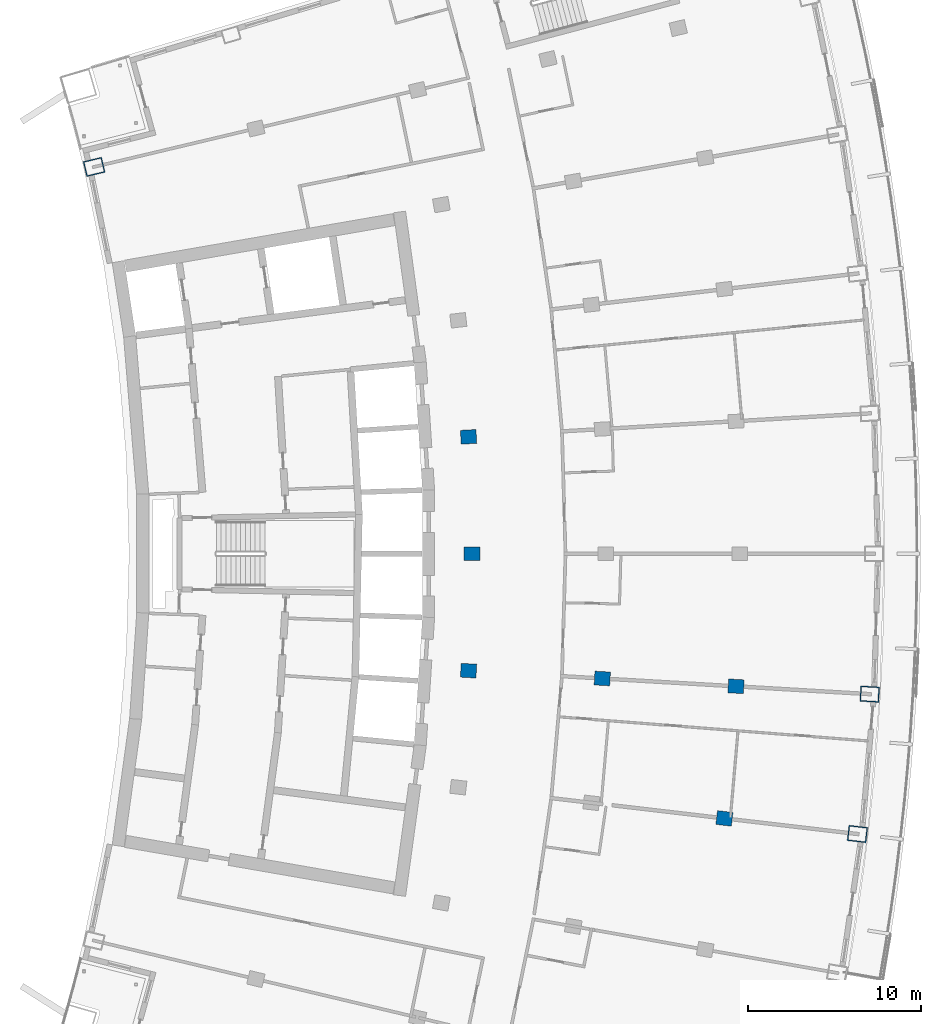
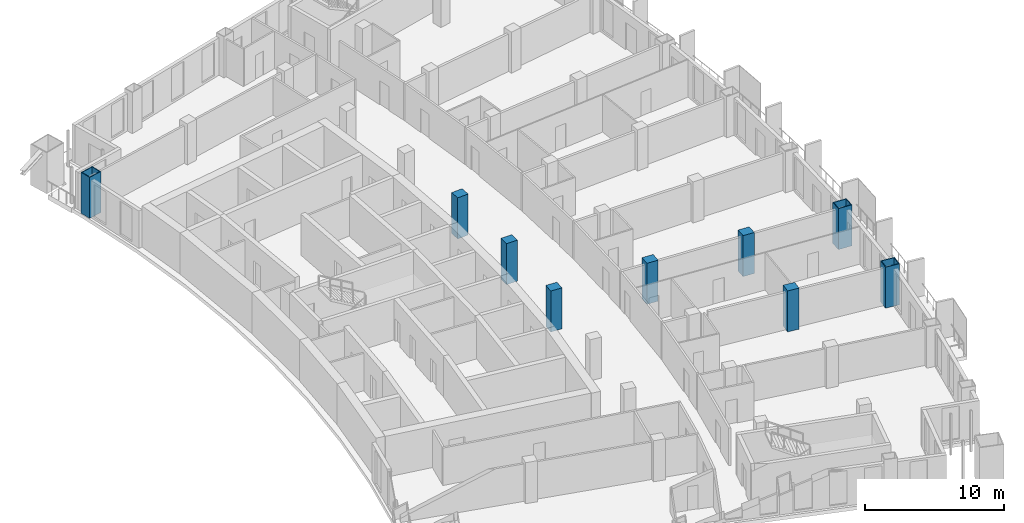
# One storey, part 4 of 19: 9 columns.
"""IFC4 building model written with IfcOpenShell, lengths in metres."""

import ifcopenshell
import ifcopenshell.guid

model = None  # the IFC model being written
_history = None  # IfcOwnerHistory: only IFC2X3 demands one
_inside = {}  # id of a spatial element -> (the spatial element, [elements in it])
_under = {}  # id of a project, library or spatial element -> (it, [spatial elements below it])
_declared = {}  # id of a project -> (the project, [libraries it declares])
_typed = {}  # id of a type object -> (the type object, [elements of that type])
_made_of = {}  # id of a material, layer set ... -> (it, [elements and type objects made of it])


def new_model(schema):
    """Start an empty IFC model of exactly this schema.

    Asked for "IFC4X3", IfcOpenShell would pick the latest addendum, in which some entities
    have other attributes; the version numbers below select the first issue.
    IFC2X3 requires an IfcOwnerHistory on every rooted entity: one is made here for all.
    """
    global model, _history
    if schema == "IFC4X3":
        model = ifcopenshell.file(schema_version=(4, 3, 0, 0))
    else:
        model = ifcopenshell.file(schema=schema)
    _inside.clear()
    _under.clear()
    _declared.clear()
    _typed.clear()
    _made_of.clear()
    _history = None
    if model.schema == "IFC2X3":
        org = make("IfcOrganization", Name="unknown")
        user = make(
            "IfcPersonAndOrganization",
            ThePerson=make("IfcPerson", FamilyName="unknown"),
            TheOrganization=org,
        )
        app = make(
            "IfcApplication",
            ApplicationDeveloper=org,
            Version="unknown",
            ApplicationFullName="unknown",
            ApplicationIdentifier="unknown",
        )
        _history = make(
            "IfcOwnerHistory",
            OwningUser=user,
            OwningApplication=app,
            ChangeAction="ADDED",
            CreationDate=0,
        )
    return model


def make(cls, **values):
    """One entity of the class cls with the attributes given. An attribute that is None is left unset."""
    return model.create_entity(
        cls, **{name: value for name, value in values.items() if value is not None}
    )


def rooted(cls, **values):
    """An entity with a GlobalId (a new one), such as an element, a storey or a relation."""
    return make(cls, GlobalId=ifcopenshell.guid.new(), OwnerHistory=_history, **values)


def si_unit(unit_type, name, prefix=None):
    """IfcSIUnit, for example si_unit("LENGTHUNIT", "METRE", prefix="MILLI")."""
    return make("IfcSIUnit", UnitType=unit_type, Prefix=prefix, Name=name)


def assignment(units):
    """IfcUnitAssignment: the units of a project."""
    return None if units is None else make("IfcUnitAssignment", Units=units)


def point(xyz):
    """IfcCartesianPoint."""
    return None if xyz is None else make("IfcCartesianPoint", Coordinates=xyz)


def direction(xyz):
    """IfcDirection."""
    return None if xyz is None else make("IfcDirection", DirectionRatios=xyz)


def frame(location, z_axis=None, x_axis=None):
    """IfcAxis2Placement3D, a coordinate frame: its origin and axes. An axis left out is left unset."""
    return make(
        "IfcAxis2Placement3D",
        Location=point(location),
        Axis=direction(z_axis),
        RefDirection=direction(x_axis),
    )


def frame_2d(location, x_axis=None):
    """IfcAxis2Placement2D, a coordinate frame in the plane: its origin and x axis."""
    return make(
        "IfcAxis2Placement2D", Location=point(location), RefDirection=direction(x_axis)
    )


def origin():
    """The frame at (0, 0, 0) with its axes left unset."""
    return frame((0.0, 0.0, 0.0))


def origin_2d():
    """The frame at (0, 0) in the plane with its x axis left unset."""
    return frame_2d((0.0, 0.0))


def place(relative_to, where):
    """IfcLocalPlacement: puts the frame where relative to a parent placement (None: the world)."""
    return make(
        "IfcLocalPlacement", PlacementRelTo=relative_to, RelativePlacement=where
    )


def context(
    kind, dimensions, precision=None, world=None, true_north=None, identifier=None
):
    """IfcGeometricRepresentationContext, for example the 3D "Model" context."""
    return make(
        "IfcGeometricRepresentationContext",
        ContextIdentifier=identifier,
        ContextType=kind,
        CoordinateSpaceDimension=dimensions,
        Precision=precision,
        WorldCoordinateSystem=world,
        TrueNorth=true_north,
    )


def subcontext(parent, identifier, kind, view, scale=None):
    """IfcGeometricRepresentationSubContext, for example "Body" below "Model"."""
    return make(
        "IfcGeometricRepresentationSubContext",
        ContextIdentifier=identifier,
        ContextType=kind,
        ParentContext=parent,
        TargetScale=scale,
        TargetView=view,
    )


def project(units=None, contexts=None):
    """IfcProject with its units and contexts."""
    return rooted(
        "IfcProject",
        Name="project",
        RepresentationContexts=contexts,
        UnitsInContext=assignment(units),
    )


def spatial(cls, under=None, at=None, **own):
    """A site, building, storey or space (cls), placed at a placement, below another one or the project."""
    s = rooted(cls, ObjectPlacement=at, **own)
    if under is not None:
        _under.setdefault(under.id(), (under, []))[1].append(s)
    return s


def profile(cls, at=None, kind="AREA", **sizes):
    """A parametric profile (cls). Its sizes go by their IFC names, for example OverallWidth=200.0."""
    return make(cls, ProfileType=kind, Position=at, **sizes)


def rectangle(**sizes):
    """IfcRectangleProfileDef."""
    return profile("IfcRectangleProfileDef", **sizes)


def hollow_rectangle(**sizes):
    """IfcRectangleHollowProfileDef."""
    return profile("IfcRectangleHollowProfileDef", **sizes)


def extrude(swept, where, along, depth):
    """IfcExtrudedAreaSolid: the profile swept, set in the frame where, extruded along a direction by depth."""
    return make(
        "IfcExtrudedAreaSolid",
        SweptArea=swept,
        Position=where,
        ExtrudedDirection=direction(along),
        Depth=depth,
    )


def shape(context_of_items, identifier, shape_type, items):
    """IfcShapeRepresentation: the items that make up one representation, for example the "Body"."""
    return make(
        "IfcShapeRepresentation",
        ContextOfItems=context_of_items,
        RepresentationIdentifier=identifier,
        RepresentationType=shape_type,
        Items=items,
    )


def material(Name=None, Category=None):
    """IfcMaterial."""
    return make("IfcMaterial", Name=Name, Category=Category)


def material_profile(
    of_material, cross_section, Name=None, Category=None, Priority=None
):
    """IfcMaterialProfile: a cross section and its material."""
    return make(
        "IfcMaterialProfile",
        Name=Name,
        Material=of_material,
        Profile=cross_section,
        Priority=Priority,
        Category=Category,
    )


def profile_set(profiles, Name=None, composite=None):
    """IfcMaterialProfileSet."""
    return make(
        "IfcMaterialProfileSet",
        Name=Name,
        MaterialProfiles=profiles,
        CompositeProfile=composite,
    )


def made_of(thing, what):
    """Note that an element or type object is made of a material, layer set ...; save() writes the relation."""
    if what is not None:
        _made_of.setdefault(what.id(), (what, []))[1].append(thing)
    return thing


def type_object(cls, material=None, **own):
    """A type object (cls), such as IfcWallType, which elements share."""
    return made_of(rooted(cls, **own), material)


def element(
    cls,
    number,
    at=None,
    inside=None,
    cuts=None,
    type_object=None,
    material=None,
    context=None,
    identifier="Body",
    shape_type=None,
    held_by="IfcProductDefinitionShape",
    body=None,
    shapes=None,
    **own,
):
    """One element of the class cls, such as IfcWall. Its Tag is "e" and its number.

    at: its placement. inside: the storey or other place that contains it. cuts: it is an
    opening in that element (IfcRelVoidsElement). A single representation is given by context,
    identifier, shape_type and body (its items); several are given by shapes. held_by: the class
    of the entity that holds the representations. save() writes the other relations.
    """
    e = rooted(cls, Tag="e%d" % number, ObjectPlacement=at, **own)
    if body is not None:
        shapes = [shape(context, identifier, shape_type, body)]
    if shapes is not None:
        e.Representation = make(held_by, Representations=shapes)
    if inside is not None:
        _inside.setdefault(inside.id(), (inside, []))[1].append(e)
    if cuts is not None:
        rooted(
            "IfcRelVoidsElement", RelatingBuildingElement=cuts, RelatedOpeningElement=e
        )
    if type_object is not None:
        _typed.setdefault(type_object.id(), (type_object, []))[1].append(e)
    return made_of(e, material)


def aggregate(whole, parts):
    """IfcRelAggregates: a whole, such as a stair, and the parts it consists of."""
    return rooted("IfcRelAggregates", RelatingObject=whole, RelatedObjects=parts)


def save(model, path):
    """Write the relations noted so far, then the file.

    IfcRelAggregates (storeys below a building ...), IfcRelContainedInSpatialStructure (elements
    in a storey), IfcRelDefinesByType, IfcRelAssociatesMaterial and IfcRelDeclares: one each for
    every whole, place, type object, material and project.
    """
    for whole, parts in _under.values():
        aggregate(whole, parts)
    for where, things in _inside.values():
        rooted(
            "IfcRelContainedInSpatialStructure",
            RelatedElements=things,
            RelatingStructure=where,
        )
    for kind, things in _typed.values():
        rooted("IfcRelDefinesByType", RelatedObjects=things, RelatingType=kind)
    for what, things in _made_of.values():
        rooted("IfcRelAssociatesMaterial", RelatedObjects=things, RelatingMaterial=what)
    for by, libraries in _declared.values():
        rooted("IfcRelDeclares", RelatingContext=by, RelatedDefinitions=libraries)
    model.write(path)


model = new_model("IFC4")

# Units and contexts
model_context = context("Model", 3, precision=1e-05, world=origin(), true_north=direction((0.0, 1.0)))
body_context = subcontext(model_context, "Body", "Model", "MODEL_VIEW")
ifc_project = project(units=[si_unit("LENGTHUNIT", "METRE"), si_unit("AREAUNIT", "SQUARE_METRE"), si_unit("VOLUMEUNIT", "CUBIC_METRE"), si_unit("PLANEANGLEUNIT", "RADIAN"), si_unit("MASSUNIT", "GRAM", prefix="KILO")], contexts=[model_context])

# Site, building, storey
site_placement = place(None, origin())
site = spatial("IfcSite", under=ifc_project, at=site_placement, CompositionType="ELEMENT")
building_placement = place(site_placement, origin())
building = spatial("IfcBuilding", under=site, at=building_placement, Name="Alderwake Tower", CompositionType="ELEMENT")
storey_placement = place(building_placement, frame((0.0, 0.0, 174.800048828125)))
storey = spatial("IfcBuildingStorey", under=building, at=storey_placement, Name="L43", CompositionType="ELEMENT", Elevation=174.800048828125)

# Columns
ifc_material_1 = material(Name="Concrete C70/85", Category="concrete")
ifc_material_profile_1 = material_profile(ifc_material_1, rectangle(XDim=0.800048828125, YDim=0.89990234375, at=origin_2d()), Name="RC 900X800")
ifc_profile_set_1 = profile_set([ifc_material_profile_1], Name="Concrete C70/85")
column_type_1 = type_object("IfcColumnType", Name="Interior column Z3", PredefinedType="COLUMN", material=ifc_profile_set_1)
for number, where, z_axis, x_axis, name in (
    (1, (50.37451171875, 45.72021484375, 0.0), (0.0, 0.0, 1.0), (0.116402054316, 0.993202175668, 0.0), "Column R05-C4"),
    (2, (35.60302734375, 54.248779296875, 0.0), (0.0, 0.0, 1.0), (0.058301061284, 0.998299046505, 0.0), "Column R06-C2"),
    (3, (43.3232421875, 53.798095703125, 0.0), (0.0, 0.0, 1.0), (0.058299318924, 0.998299148258, 0.0), "Column R06-C3"),
    (4, (51.04345703125, 53.34716796875, 0.0), (0.0, 0.0, 1.0), (0.058301061284, 0.998299046505, 0.0), "Column R06-C4"),
    (5, (35.800048828125, 61.0, 0.0), (0.0, 0.0, 1.0), (0.0, 1.0, 0.0), "Column R07-C2"),
    (6, (35.60302734375, 67.751220703125, 0.0), (0.0, 0.0, 1.0), (-0.058301061284, 0.998299046505, 0.0), "Column R08-C2"),
):
    element("IfcColumn", number, at=place(storey_placement, frame(where, z_axis=z_axis, x_axis=x_axis)), inside=storey, type_object=column_type_1, Name=name, PredefinedType="COLUMN", context=body_context, shape_type="SweptSolid", body=[
        extrude(rectangle(XDim=0.800048828125, YDim=0.89990234375, at=origin_2d()), origin(), (0.0, 0.0, 1.0), 3.599853515625),
    ])
ifc_material_2 = material(Name="Steel ASTM A572 Grade 50 concrete filled C70/85", Category="concrete")
ifc_material_profile_2 = material_profile(ifc_material_2, hollow_rectangle(XDim=0.89990234375, YDim=1.10009765625, WallThickness=0.06005859375, at=origin_2d()), Name="BOX 1100X900X60")
ifc_profile_set_2 = profile_set([ifc_material_profile_2], Name="Steel ASTM A572 Grade 50 concrete filled C70/85")
column_type_2 = type_object("IfcColumnType", Name="Perimeter column Z3", PredefinedType="COLUMN", material=ifc_profile_set_2)
for number, where, z_axis, x_axis, name in (
    (7, (58.05517578125, 44.820068359375, 0.0), (0.0, 0.0, 1.0), (0.116402054316, 0.993202175668, 0.0), "Column R05-C5"),
    (8, (58.763671875, 52.896240234375, 0.0), (0.0, 0.0, 1.0), (0.058299318924, 0.998299148258, 0.0), "Column R06-C5"),
    (9, (13.982177734375, 83.3359375, 0.0), (0.0, 0.0, 1.0), (-0.231221547198, 0.972901123502, 0.0), "Column R11-C0"),
):
    element("IfcColumn", number, at=place(storey_placement, frame(where, z_axis=z_axis, x_axis=x_axis)), inside=storey, type_object=column_type_2, Name=name, PredefinedType="COLUMN", context=body_context, shape_type="SweptSolid", body=[
        extrude(hollow_rectangle(XDim=0.89990234375, YDim=1.10009765625, WallThickness=0.06005859375, at=origin_2d()), origin(), (0.0, 0.0, 1.0), 3.599853515625),
    ])

save(model, "model.ifc")
